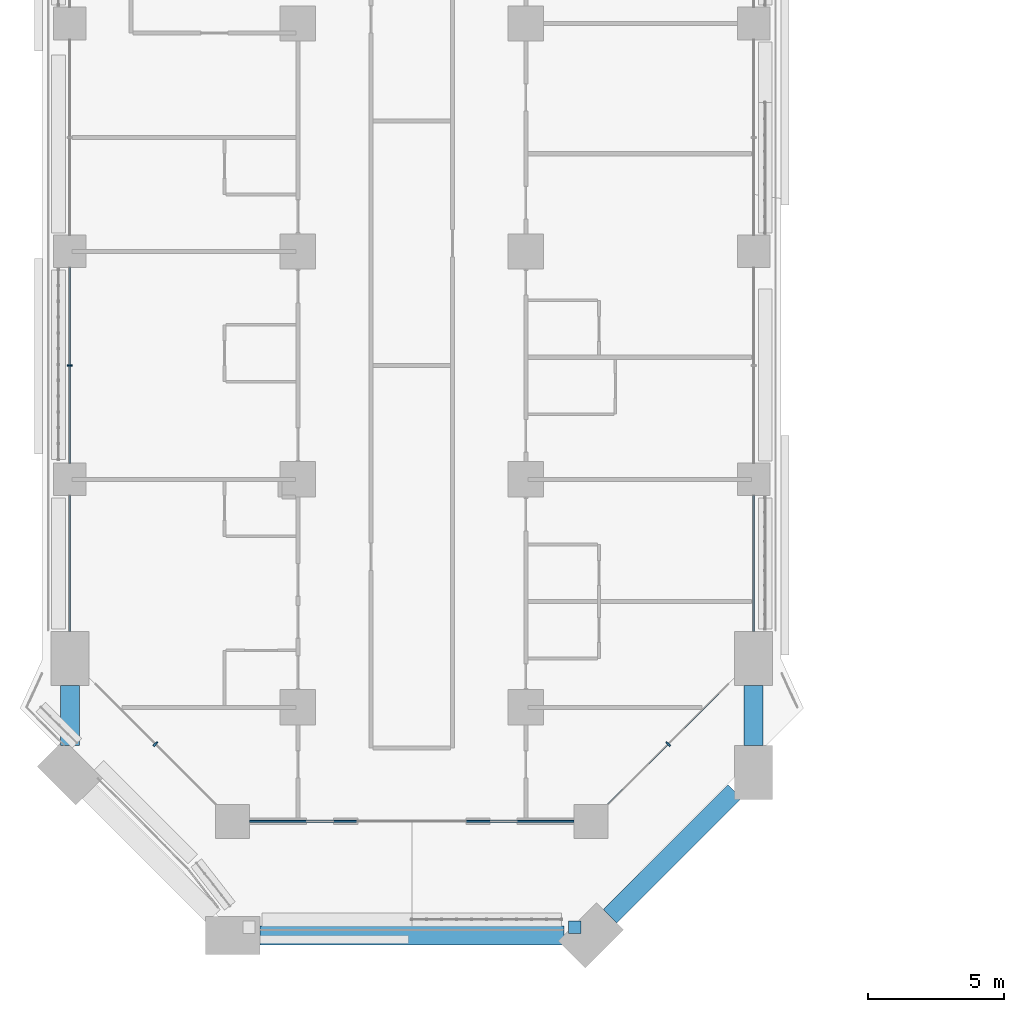
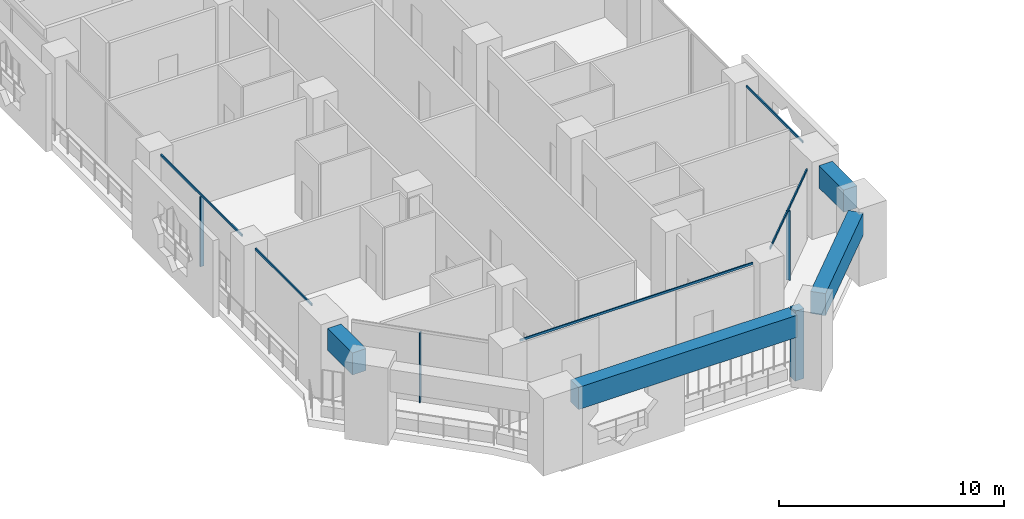
# One storey, part 2 of 28: 9 members, 4 beams, 6 elements without a shape of their own.
"""IFC4 building model written with IfcOpenShell, lengths in metres."""

from ifc_helpers import new_model, si_unit, direction, frame, origin, origin_2d, place, context, subcontext, project, spatial, rectangle, extrude, material, layer, layer_set, material_profile, profile_set, type_object, element, aggregate, save


model = new_model("IFC4")

# Units and contexts
model_context = context("Model", 3, precision=1e-05, world=origin(), true_north=direction((0.0, 1.0)))
body_context = subcontext(model_context, "Body", "Model", "MODEL_VIEW")
ifc_project = project(units=[si_unit("LENGTHUNIT", "METRE"), si_unit("AREAUNIT", "SQUARE_METRE"), si_unit("VOLUMEUNIT", "CUBIC_METRE"), si_unit("PLANEANGLEUNIT", "RADIAN"), si_unit("MASSUNIT", "GRAM", prefix="KILO")], contexts=[model_context])

# Site, building, storey
site_placement = place(None, origin())
site = spatial("IfcSite", under=ifc_project, at=site_placement, CompositionType="ELEMENT")
building_placement = place(site_placement, origin())
building = spatial("IfcBuilding", under=site, at=building_placement, Name="Kawkab Arch Medical Tower", CompositionType="ELEMENT")
storey_placement = place(building_placement, frame((0.0, 0.0, 56.0)))
storey = spatial("IfcBuildingStorey", under=building, at=storey_placement, Name="L12", CompositionType="ELEMENT", Elevation=56.0)

# Curtain wall, members
ifc_material_1 = material(Name="Bronze anodised aluminium curtain wall frame", Category="aluminium")
ifc_layer_1 = layer(ifc_material_1, 0.159912109375)
ifc_layer_set_1 = layer_set([ifc_layer_1], Name="Bronze anodised aluminium curtain wall frame")
curtain_wall_type_1 = type_object("IfcCurtainWallType", Name="CW1 ward curtain wall", PredefinedType="NOTDEFINED", material=ifc_layer_set_1)
placement = place(storey_placement, origin())
curtain_wall_1 = element("IfcCurtainWall", 1, at=placement, inside=storey, type_object=curtain_wall_type_1, Name="CW1 Ward curtain wall R01", PredefinedType="NOTDEFINED")
ifc_material_2 = material(Name="Bronze anodised aluminium curtain wall frame", Category="aluminium")
ifc_material_profile_1 = material_profile(ifc_material_2, rectangle(XDim=0.179931640625, YDim=0.06005859375, at=origin_2d()), Name="AL 60x180")
ifc_profile_set_1 = profile_set([ifc_material_profile_1], Name="Bronze anodised aluminium curtain wall frame")
member_type_1 = type_object("IfcMemberType", Name="CW1 mullion 60 x 180", PredefinedType="MULLION", material=ifc_profile_set_1)
member_1_placement = place(storey_placement, frame((0.0, -54.60009765625, 0.0), z_axis=(0.0, 0.0, 1.0), x_axis=(1.0, 0.0, 0.0)))
member_1 = element("IfcMember", 2, at=member_1_placement, type_object=member_type_1, Name="CW1 mullion 6.1", PredefinedType="MULLION", context=body_context, shape_type="SweptSolid", body=[
    extrude(rectangle(XDim=0.179931640625, YDim=0.06005859375, at=origin_2d()), origin(), (0.0, 0.0, 1.0), 3.780029296875),
])
ifc_material_3 = material(Name="Bronze anodised aluminium curtain wall frame", Category="aluminium")
ifc_material_profile_2 = material_profile(ifc_material_3, rectangle(XDim=0.06005859375, YDim=0.1201171875, at=origin_2d()), Name="AL 60x120")
ifc_profile_set_2 = profile_set([ifc_material_profile_2], Name="Bronze anodised aluminium curtain wall frame")
member_type_2 = type_object("IfcMemberType", Name="CW1 transom 120 x 60", PredefinedType="USERDEFINED", material=ifc_profile_set_2)
member_2_placement = place(storey_placement, frame((0.0, -51.0, 3.840087890625), z_axis=(0.0, -1.0, 0.0), x_axis=(1.0, 0.0, 0.0)))
member_2 = element("IfcMember", 3, at=member_2_placement, type_object=member_type_2, Name="CW1 transom 6", ObjectType="TRANSOM", PredefinedType="USERDEFINED", context=body_context, shape_type="SweptSolid", body=[
    extrude(rectangle(XDim=0.06005859375, YDim=0.1201171875, at=origin_2d()), origin(), (0.0, 0.0, 1.0), 7.199951171875),
])
member_3_placement = place(storey_placement, frame((0.0, -59.39990234375, 3.840087890625), z_axis=(0.0, -1.0, 0.0), x_axis=(1.0, 0.0, 0.0)))
member_3 = element("IfcMember", 4, at=member_3_placement, type_object=member_type_2, Name="CW1 transom 7", ObjectType="TRANSOM", PredefinedType="USERDEFINED", context=body_context, shape_type="SweptSolid", body=[
    extrude(rectangle(XDim=0.06005859375, YDim=0.1201171875, at=origin_2d()), origin(), (0.0, 0.0, 1.0), 5.0),
])
aggregate(curtain_wall_1, [member_2, member_1, member_3])

# Curtain wall, member
curtain_wall_2 = element("IfcCurtainWall", 5, at=placement, inside=storey, type_object=curtain_wall_type_1, Name="CW1 Ward curtain wall R03", PredefinedType="NOTDEFINED")
member_4_placement = place(storey_placement, frame((6.625, -71.39990234375, 3.840087890625), z_axis=(1.0, 0.0, 0.0), x_axis=(0.0, 1.0, 0.0)))
member_4 = element("IfcMember", 6, at=member_4_placement, type_object=member_type_2, Name="CW1 transom 1", ObjectType="TRANSOM", PredefinedType="USERDEFINED", context=body_context, shape_type="SweptSolid", body=[
    extrude(rectangle(XDim=0.06005859375, YDim=0.1201171875, at=origin_2d()), origin(), (0.0, 0.0, 1.0), 11.949951171875),
])
aggregate(curtain_wall_2, [member_4])

curtain_wall_3 = element("IfcCurtainWall", 7, at=placement, inside=storey, type_object=curtain_wall_type_1, Name="CW1 Ward curtain wall R05", PredefinedType="NOTDEFINED")
member_5_placement = place(storey_placement, frame((25.199951171875, -64.39990234375, 3.840087890625), z_axis=(0.0, 1.0, 0.0), x_axis=(-1.0, 0.0, 0.0)))
member_5 = element("IfcMember", 8, at=member_5_placement, type_object=member_type_2, Name="CW1 transom 1", ObjectType="TRANSOM", PredefinedType="USERDEFINED", context=body_context, shape_type="SweptSolid", body=[
    extrude(rectangle(XDim=0.06005859375, YDim=0.1201171875, at=origin_2d()), origin(), (0.0, 0.0, 1.0), 5.0),
])
aggregate(curtain_wall_3, [member_5])

ifc_material_4 = material(Name="Bronze anodised aluminium curtain wall frame", Category="aluminium")
ifc_layer_2 = layer(ifc_material_4, 0.159912109375)
ifc_layer_set_2 = layer_set([ifc_layer_2], Name="Bronze anodised aluminium curtain wall frame")
curtain_wall_type_2 = type_object("IfcCurtainWallType", Name="CW2 chamfer curtain wall", PredefinedType="NOTDEFINED", material=ifc_layer_set_2)
curtain_wall_4 = element("IfcCurtainWall", 9, at=placement, inside=storey, type_object=curtain_wall_type_2, Name="CW2 Chamfer curtain wall R02", PredefinedType="NOTDEFINED")
ifc_material_5 = material(Name="Bronze anodised aluminium curtain wall frame", Category="aluminium")
ifc_material_profile_3 = material_profile(ifc_material_5, rectangle(XDim=0.199951171875, YDim=0.06005859375, at=origin_2d()), Name="AL 60x200")
ifc_profile_set_3 = profile_set([ifc_material_profile_3], Name="Bronze anodised aluminium curtain wall frame")
member_type_3 = type_object("IfcMemberType", Name="CW2 mullion 60 x 200", PredefinedType="MULLION", material=ifc_profile_set_3)
member_6_placement = place(storey_placement, frame((3.152587890625, -68.552734375, 0.0), z_axis=(0.0, 0.0, 1.0), x_axis=(0.707106781187, 0.707106781187, 0.0)))
member_6 = element("IfcMember", 10, at=member_6_placement, type_object=member_type_3, Name="CW2 mullion 1.1", PredefinedType="MULLION", context=body_context, shape_type="SweptSolid", body=[
    extrude(rectangle(XDim=0.199951171875, YDim=0.06005859375, at=origin_2d()), origin(), (0.0, 0.0, 1.0), 3.760009765625),
])
aggregate(curtain_wall_4, [member_6])

# Curtain wall, members
curtain_wall_5 = element("IfcCurtainWall", 11, at=placement, inside=storey, type_object=curtain_wall_type_2, Name="CW2 Chamfer curtain wall R04", PredefinedType="NOTDEFINED")
member_7_placement = place(storey_placement, frame((22.04736328125, -68.552734375, 0.0), z_axis=(0.0, 0.0, 1.0), x_axis=(-0.707106781187, 0.707106781187, 0.0)))
member_7 = element("IfcMember", 12, at=member_7_placement, type_object=member_type_3, Name="CW2 mullion 1.1", PredefinedType="MULLION", context=body_context, shape_type="SweptSolid", body=[
    extrude(rectangle(XDim=0.199951171875, YDim=0.06005859375, at=origin_2d()), origin(), (0.0, 0.0, 1.0), 3.760009765625),
])
ifc_material_6 = material(Name="Bronze anodised aluminium curtain wall frame", Category="aluminium")
ifc_material_profile_4 = material_profile(ifc_material_6, rectangle(XDim=0.06005859375, YDim=0.139892578125, at=origin_2d()), Name="AL 60x140")
ifc_profile_set_4 = profile_set([ifc_material_profile_4], Name="Bronze anodised aluminium curtain wall frame")
member_type_4 = type_object("IfcMemberType", Name="CW2 transom 140 x 60", PredefinedType="USERDEFINED", material=ifc_profile_set_4)
member_8_placement = place(storey_placement, frame((19.824951171875, -70.77490234375, 3.830078125), z_axis=(0.707126201062, 0.707087360778, 0.0), x_axis=(-0.707087360778, 0.707126201062, 0.0)))
member_8 = element("IfcMember", 13, at=member_8_placement, type_object=member_type_4, Name="CW2 transom 1", ObjectType="TRANSOM", PredefinedType="USERDEFINED", context=body_context, shape_type="SweptSolid", body=[
    extrude(rectangle(XDim=0.06005859375, YDim=0.139892578125, at=origin_2d()), origin(), (0.0, 0.0, 1.0), 6.28564453125),
])
aggregate(curtain_wall_5, [member_8, member_7])

# Curtain wall, member
ifc_material_7 = material(Name="Bronze anodised aluminium climber frame, planted", Category="aluminium")
ifc_layer_3 = layer(ifc_material_7, 0.449951171875)
ifc_layer_set_3 = layer_set([ifc_layer_3], Name="Bronze anodised aluminium climber frame, planted")
curtain_wall_type_3 = type_object("IfcCurtainWallType", Name="Planted climber frame", PredefinedType="NOTDEFINED", material=ifc_layer_set_3)
curtain_wall_6 = element("IfcCurtainWall", 14, at=placement, inside=storey, type_object=curtain_wall_type_3, Name="Planted climber frame L12", PredefinedType="NOTDEFINED")
ifc_material_8 = material(Name="Bronze anodised aluminium climber frame, planted", Category="aluminium")
ifc_material_profile_5 = material_profile(ifc_material_8, rectangle(XDim=0.449951171875, YDim=0.449951171875, at=origin_2d()), Name="Post 450x450")
ifc_profile_set_5 = profile_set([ifc_material_profile_5], Name="Bronze anodised aluminium climber frame, planted")
member_type_5 = type_object("IfcMemberType", Name="Planted climber post 450 x 450", PredefinedType="MULLION", material=ifc_profile_set_5)
member_9_placement = place(storey_placement, frame((18.60302734375, -75.300048828125, 0.0), z_axis=(0.0, 0.0, 1.0), x_axis=(1.0, 0.0, 0.0)))
member_9 = element("IfcMember", 15, at=member_9_placement, type_object=member_type_5, Name="Planted climber post L12.LOG-01-01.1", PredefinedType="MULLION", context=body_context, shape_type="SweptSolid", body=[
    extrude(rectangle(XDim=0.449951171875, YDim=0.449951171875, at=origin_2d()), origin(), (0.0, 0.0, 1.0), 3.800048828125),
])
aggregate(curtain_wall_6, [member_9])

# Beams
ifc_material_9 = material(Name="Concrete C60/75", Category="concrete")
ifc_material_profile_6 = material_profile(ifc_material_9, rectangle(XDim=0.699951171875, YDim=1.199951171875, at=origin_2d()), Name="RC 700x1200")
ifc_profile_set_6 = profile_set([ifc_material_profile_6], Name="Concrete C60/75")
beam_type = type_object("IfcBeamType", Name="RC 700x1200 beam C60/75", PredefinedType="BEAM", material=ifc_profile_set_6)
beam_1_placement = place(storey_placement, frame((25.199951171875, -66.39990234375, 3.300048828125), z_axis=(0.0, -1.0, 0.0), x_axis=(1.0, 0.0, 0.0)))
element("IfcBeam", 16, at=beam_1_placement, inside=storey, type_object=beam_type, Name="Terrace frame beam TF-L11-1-L13-01", PredefinedType="BEAM", context=body_context, shape_type="SweptSolid", body=[
    extrude(rectangle(XDim=0.699951171875, YDim=1.199951171875, at=origin_2d()), origin(), (0.0, 0.0, 1.0), 2.2001953125),
])
beam_2_placement = place(storey_placement, frame((24.5, -70.300048828125, 3.300048828125), z_axis=(-0.707125574473, -0.707087987401, 0.0), x_axis=(0.707087987401, -0.707125574473, 0.0)))
element("IfcBeam", 17, at=beam_2_placement, inside=storey, type_object=beam_type, Name="Terrace frame beam TF-L11-1-L13-02", PredefinedType="BEAM", context=body_context, shape_type="SweptSolid", body=[
    extrude(rectangle(XDim=0.699951171875, YDim=1.199951171875, at=origin_2d()), origin(), (0.0, 0.0, 1.0), 6.495361328125),
])
beam_3_placement = place(storey_placement, frame((18.210205078125, -75.60009765625, 3.300048828125), z_axis=(-1.0, 0.0, 0.0), x_axis=(0.0, -1.0, 0.0)))
element("IfcBeam", 18, at=beam_3_placement, inside=storey, type_object=beam_type, Name="Terrace frame beam TF-L11-1-L13-03", PredefinedType="BEAM", context=body_context, shape_type="SweptSolid", body=[
    extrude(rectangle(XDim=0.699951171875, YDim=1.199951171875, at=origin_2d()), origin(), (0.0, 0.0, 1.0), 11.210205078125),
])
beam_4_placement = place(storey_placement, frame((0.0, -68.610107421875, 3.300048828125), z_axis=(0.0, 1.0, 0.0), x_axis=(-1.0, 0.0, 0.0)))
element("IfcBeam", 19, at=beam_4_placement, inside=storey, type_object=beam_type, Name="Terrace frame beam TF-L11-1-L13-05", PredefinedType="BEAM", context=body_context, shape_type="SweptSolid", body=[
    extrude(rectangle(XDim=0.699951171875, YDim=1.199951171875, at=origin_2d()), origin(), (0.0, 0.0, 1.0), 2.210205078125),
])

save(model, "model.ifc")
